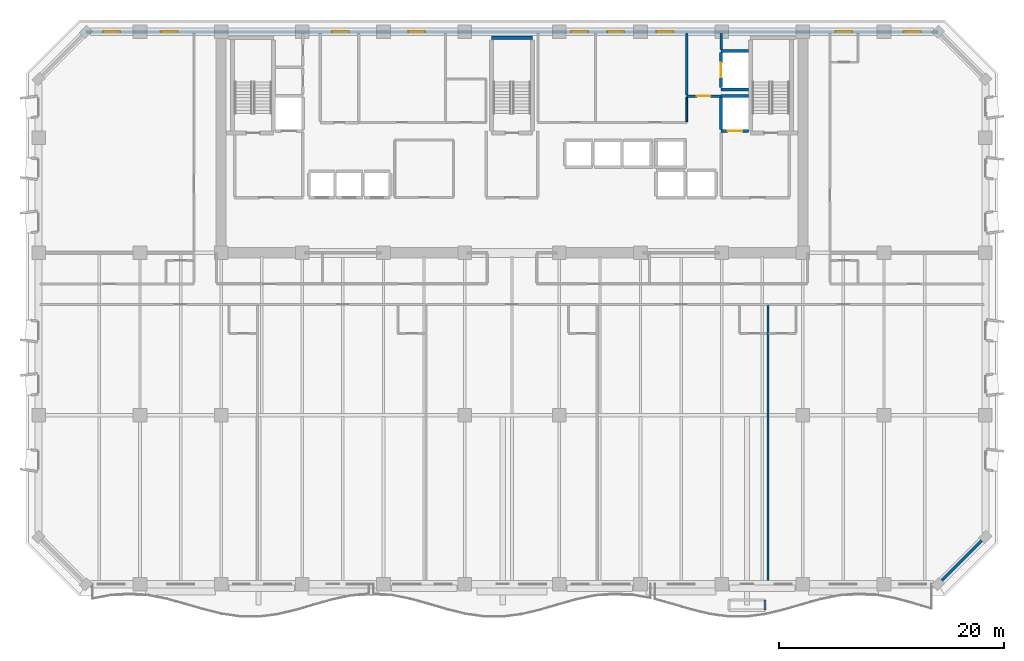
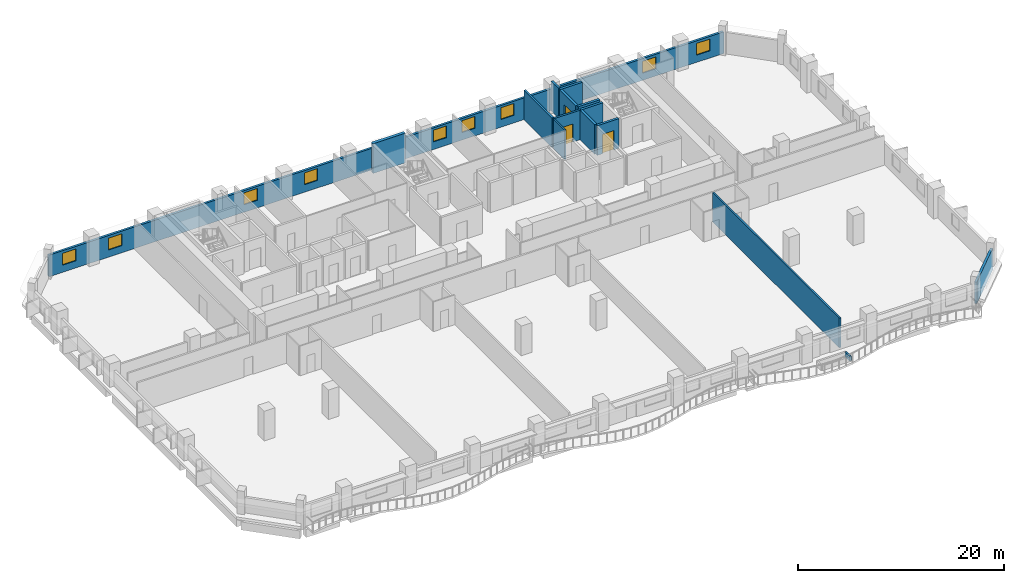
# One storey, part 8 of 14: 15 walls, 9 windows, 3 doors, 12 openings.
"""IFC4 building model written with IfcOpenShell, lengths in metres."""

from ifc_helpers import new_model, si_unit, direction, frame, frame_2d, origin, place, context, subcontext, project, spatial, rectangle, extrude, material, layer, layer_set, type_object, element, fill, save


model = new_model("IFC4")

# Units and contexts
model_context = context("Model", 3, precision=1e-05, world=origin(), true_north=direction((0.0, 1.0)))
body_context = subcontext(model_context, "Body", "Model", "MODEL_VIEW")
ifc_project = project(units=[si_unit("LENGTHUNIT", "METRE"), si_unit("AREAUNIT", "SQUARE_METRE"), si_unit("VOLUMEUNIT", "CUBIC_METRE"), si_unit("PLANEANGLEUNIT", "RADIAN"), si_unit("MASSUNIT", "GRAM", prefix="KILO")], contexts=[model_context])

# Site, building, storey
site_placement = place(None, origin())
site = spatial("IfcSite", under=ifc_project, at=site_placement, CompositionType="ELEMENT")
building_placement = place(site_placement, origin())
building = spatial("IfcBuilding", under=site, at=building_placement, Name="Kaelvorn Grand Hotel", CompositionType="ELEMENT")
storey_placement = place(building_placement, frame((0.0, 0.0, 126.800048828125)))
storey = spatial("IfcBuildingStorey", under=building, at=storey_placement, Name="L30", CompositionType="ELEMENT", Elevation=126.800048828125)

# Wall
ifc_material_1 = material(Name="Concrete C40/50", Category="concrete")
ifc_layer_1 = layer(ifc_material_1, 0.260009765625)
ifc_layer_set_1 = layer_set([ifc_layer_1], Name="Concrete C40/50")
wall_type_1 = type_object("IfcWallType", Name="WL-EXT-260-C40", PredefinedType="SOLIDWALL", material=ifc_layer_set_1)
wall_1_placement = place(storey_placement, frame((79.800048828125, 0.0, 0.0), z_axis=(0.0, 0.0, 1.0), x_axis=(0.707106781187, 0.707106781187, 0.0)))
element("IfcWall", 1, at=wall_1_placement, inside=storey, type_object=wall_type_1, Name="L30 Exterior Architectural Concrete Wall 02", PredefinedType="SOLIDWALL", context=body_context, shape_type="SweptSolid", body=[
    extrude(rectangle(XDim=5.939697265625, YDim=0.260009765625, at=frame_2d((2.9697265625, 0.0))), origin(), (0.0, 0.0, 1.0), 2.56005859375),
])

# Wall, openings, windows
wall_2_placement = place(storey_placement, frame((79.800048828125, 49.0, 0.0), z_axis=(0.0, 0.0, 1.0), x_axis=(-1.0, 0.0, 0.0)))
wall_2 = element("IfcWall", 2, at=wall_2_placement, inside=storey, type_object=wall_type_1, Name="L30 Exterior Architectural Concrete Wall 05", PredefinedType="SOLIDWALL", context=body_context, shape_type="SweptSolid", body=[
    extrude(rectangle(XDim=75.60009765625, YDim=0.260009765625, at=frame_2d((37.800048828125, 0.0))), origin(), (0.0, 0.0, 1.0), 2.56005859375),
])
opening_1_placement = place(wall_2_placement, frame((72.56494140625, 0.0, 0.85009765625)))
opening_1 = element("IfcOpeningElement", 3, at=opening_1_placement, cuts=wall_2, Name="Opening W10", PredefinedType="OPENING", context=body_context, shape_type="SweptSolid", body=[
    extrude(rectangle(XDim=1.5, YDim=1.39990234375, at=frame_2d((0.75, 0.699951171875))), frame((0.0, 0.14013671875, 0.0), z_axis=(0.0, -1.0, 0.0), x_axis=(1.0, 0.0, 0.0)), (0.0, 0.0, 1.0), 0.280029296875),
])
opening_2_placement = place(wall_2_placement, frame((67.449951171875, 0.0, 0.85009765625)))
opening_2 = element("IfcOpeningElement", 4, at=opening_2_placement, cuts=wall_2, Name="Opening W10", PredefinedType="OPENING", context=body_context, shape_type="SweptSolid", body=[
    extrude(rectangle(XDim=1.5, YDim=1.39990234375, at=frame_2d((0.75, 0.699951171875))), frame((0.0, 0.14013671875, 0.0), z_axis=(0.0, -1.0, 0.0), x_axis=(1.0, 0.0, 0.0)), (0.0, 0.0, 1.0), 0.280029296875),
])
opening_3_placement = place(wall_2_placement, frame((7.60009765625, 0.0, 0.85009765625)))
opening_3 = element("IfcOpeningElement", 5, at=opening_3_placement, cuts=wall_2, Name="Opening W10", PredefinedType="OPENING", context=body_context, shape_type="SweptSolid", body=[
    extrude(rectangle(XDim=1.5, YDim=1.39990234375, at=frame_2d((0.75, 0.699951171875))), frame((0.0, 0.14013671875, 0.0), z_axis=(0.0, -1.0, 0.0), x_axis=(1.0, 0.0, 0.0)), (0.0, 0.0, 1.0), 0.280029296875),
])
opening_4_placement = place(wall_2_placement, frame((1.534912109375, 0.0, 0.85009765625)))
opening_4 = element("IfcOpeningElement", 6, at=opening_4_placement, cuts=wall_2, Name="Opening W10", PredefinedType="OPENING", context=body_context, shape_type="SweptSolid", body=[
    extrude(rectangle(XDim=1.5, YDim=1.39990234375, at=frame_2d((0.75, 0.699951171875))), frame((0.0, 0.14013671875, 0.0), z_axis=(0.0, -1.0, 0.0), x_axis=(1.0, 0.0, 0.0)), (0.0, 0.0, 1.0), 0.280029296875),
])
opening_5_placement = place(wall_2_placement, frame((52.264892578125, 0.0, 0.89990234375)))
opening_5 = element("IfcOpeningElement", 7, at=opening_5_placement, cuts=wall_2, Name="Opening W10", PredefinedType="OPENING", context=body_context, shape_type="SweptSolid", body=[
    extrude(rectangle(XDim=1.5, YDim=1.39990234375, at=frame_2d((0.75, 0.699951171875))), frame((0.0, 0.14013671875, 0.0), z_axis=(0.0, -1.0, 0.0), x_axis=(1.0, 0.0, 0.0)), (0.0, 0.0, 1.0), 0.280029296875),
])
opening_6_placement = place(wall_2_placement, frame((45.5, 0.0, 0.89990234375)))
opening_6 = element("IfcOpeningElement", 8, at=opening_6_placement, cuts=wall_2, Name="Opening W10", PredefinedType="OPENING", context=body_context, shape_type="SweptSolid", body=[
    extrude(rectangle(XDim=1.5, YDim=1.39990234375, at=frame_2d((0.75, 0.699951171875))), frame((0.0, 0.14013671875, 0.0), z_axis=(0.0, -1.0, 0.0), x_axis=(1.0, 0.0, 0.0)), (0.0, 0.0, 1.0), 0.280029296875),
])
opening_7_placement = place(wall_2_placement, frame((31.050048828125, 0.0, 0.89990234375)))
opening_7 = element("IfcOpeningElement", 9, at=opening_7_placement, cuts=wall_2, Name="Opening W10", PredefinedType="OPENING", context=body_context, shape_type="SweptSolid", body=[
    extrude(rectangle(XDim=1.5, YDim=1.39990234375, at=frame_2d((0.75, 0.699951171875))), frame((0.0, 0.14013671875, 0.0), z_axis=(0.0, -1.0, 0.0), x_axis=(1.0, 0.0, 0.0)), (0.0, 0.0, 1.0), 0.280029296875),
])
opening_8_placement = place(wall_2_placement, frame((27.85009765625, 0.0, 0.89990234375)))
opening_8 = element("IfcOpeningElement", 10, at=opening_8_placement, cuts=wall_2, Name="Opening W10", PredefinedType="OPENING", context=body_context, shape_type="SweptSolid", body=[
    extrude(rectangle(XDim=1.5, YDim=1.39990234375, at=frame_2d((0.75, 0.699951171875))), frame((0.0, 0.14013671875, 0.0), z_axis=(0.0, -1.0, 0.0), x_axis=(1.0, 0.0, 0.0)), (0.0, 0.0, 1.0), 0.280029296875),
])
opening_9_placement = place(wall_2_placement, frame((23.485107421875, 0.0, 0.89990234375)))
opening_9 = element("IfcOpeningElement", 11, at=opening_9_placement, cuts=wall_2, Name="Opening W10", PredefinedType="OPENING", context=body_context, shape_type="SweptSolid", body=[
    extrude(rectangle(XDim=1.5, YDim=1.39990234375, at=frame_2d((0.75, 0.699951171875))), frame((0.0, 0.14013671875, 0.0), z_axis=(0.0, -1.0, 0.0), x_axis=(1.0, 0.0, 0.0)), (0.0, 0.0, 1.0), 0.280029296875),
])
ifc_material_2 = material(Name="Laminated Low-E Glass", Category="glass")
window_type = type_object("IfcWindowType", Name="WIN-COR-1500x1400", PartitioningType="SINGLE_PANEL", PredefinedType="WINDOW", material=ifc_material_2)
window_1_placement = place(opening_1_placement, origin())
window_1 = element("IfcWindow", 12, at=window_1_placement, inside=storey, type_object=window_type, Name="L30 North Wing Ribbon Window NW01", OverallHeight=1.39990234375, OverallWidth=1.5, PartitioningType="SINGLE_PANEL", PredefinedType="WINDOW", context=body_context, shape_type="SweptSolid", body=[
    extrude(rectangle(XDim=1.5, YDim=1.39990234375, at=frame_2d((0.75, 0.699951171875))), frame((0.0, 0.030029296875, 0.0), z_axis=(0.0, -1.0, 0.0), x_axis=(1.0, 0.0, 0.0)), (0.0, 0.0, 1.0), 0.06005859375),
])
fill(opening_1, window_1)
window_2_placement = place(opening_2_placement, origin())
window_2 = element("IfcWindow", 13, at=window_2_placement, inside=storey, type_object=window_type, Name="L30 North Wing Ribbon Window NW02", OverallHeight=1.39990234375, OverallWidth=1.5, PartitioningType="SINGLE_PANEL", PredefinedType="WINDOW", context=body_context, shape_type="SweptSolid", body=[
    extrude(rectangle(XDim=1.5, YDim=1.39990234375, at=frame_2d((0.75, 0.699951171875))), frame((0.0, 0.030029296875, 0.0), z_axis=(0.0, -1.0, 0.0), x_axis=(1.0, 0.0, 0.0)), (0.0, 0.0, 1.0), 0.06005859375),
])
fill(opening_2, window_2)
window_3_placement = place(opening_3_placement, origin())
window_3 = element("IfcWindow", 14, at=window_3_placement, inside=storey, type_object=window_type, Name="L30 North Wing Ribbon Window NW03", OverallHeight=1.39990234375, OverallWidth=1.5, PartitioningType="SINGLE_PANEL", PredefinedType="WINDOW", context=body_context, shape_type="SweptSolid", body=[
    extrude(rectangle(XDim=1.5, YDim=1.39990234375, at=frame_2d((0.75, 0.699951171875))), frame((0.0, 0.030029296875, 0.0), z_axis=(0.0, -1.0, 0.0), x_axis=(1.0, 0.0, 0.0)), (0.0, 0.0, 1.0), 0.06005859375),
])
fill(opening_3, window_3)
window_4_placement = place(opening_4_placement, origin())
window_4 = element("IfcWindow", 15, at=window_4_placement, inside=storey, type_object=window_type, Name="L30 North Wing Ribbon Window NW04", OverallHeight=1.39990234375, OverallWidth=1.5, PartitioningType="SINGLE_PANEL", PredefinedType="WINDOW", context=body_context, shape_type="SweptSolid", body=[
    extrude(rectangle(XDim=1.5, YDim=1.39990234375, at=frame_2d((0.75, 0.699951171875))), frame((0.0, 0.030029296875, 0.0), z_axis=(0.0, -1.0, 0.0), x_axis=(1.0, 0.0, 0.0)), (0.0, 0.0, 1.0), 0.06005859375),
])
fill(opening_4, window_4)
window_5_placement = place(opening_5_placement, origin())
window_5 = element("IfcWindow", 16, at=window_5_placement, inside=storey, type_object=window_type, Name="L30 North Core Clerestory Ribbon Window NC05", OverallHeight=1.39990234375, OverallWidth=1.5, PartitioningType="SINGLE_PANEL", PredefinedType="WINDOW", context=body_context, shape_type="SweptSolid", body=[
    extrude(rectangle(XDim=1.5, YDim=1.39990234375, at=frame_2d((0.75, 0.699951171875))), frame((0.0, 0.030029296875, 0.0), z_axis=(0.0, -1.0, 0.0), x_axis=(1.0, 0.0, 0.0)), (0.0, 0.0, 1.0), 0.06005859375),
])
fill(opening_5, window_5)
window_6_placement = place(opening_6_placement, origin())
window_6 = element("IfcWindow", 17, at=window_6_placement, inside=storey, type_object=window_type, Name="L30 North Core Clerestory Ribbon Window NC06", OverallHeight=1.39990234375, OverallWidth=1.5, PartitioningType="SINGLE_PANEL", PredefinedType="WINDOW", context=body_context, shape_type="SweptSolid", body=[
    extrude(rectangle(XDim=1.5, YDim=1.39990234375, at=frame_2d((0.75, 0.699951171875))), frame((0.0, 0.030029296875, 0.0), z_axis=(0.0, -1.0, 0.0), x_axis=(1.0, 0.0, 0.0)), (0.0, 0.0, 1.0), 0.06005859375),
])
fill(opening_6, window_6)
window_7_placement = place(opening_7_placement, origin())
window_7 = element("IfcWindow", 18, at=window_7_placement, inside=storey, type_object=window_type, Name="L30 North Core Clerestory Ribbon Window NC07", OverallHeight=1.39990234375, OverallWidth=1.5, PartitioningType="SINGLE_PANEL", PredefinedType="WINDOW", context=body_context, shape_type="SweptSolid", body=[
    extrude(rectangle(XDim=1.5, YDim=1.39990234375, at=frame_2d((0.75, 0.699951171875))), frame((0.0, 0.030029296875, 0.0), z_axis=(0.0, -1.0, 0.0), x_axis=(1.0, 0.0, 0.0)), (0.0, 0.0, 1.0), 0.06005859375),
])
fill(opening_7, window_7)
window_8_placement = place(opening_8_placement, origin())
window_8 = element("IfcWindow", 19, at=window_8_placement, inside=storey, type_object=window_type, Name="L30 North Core Clerestory Ribbon Window NC08", OverallHeight=1.39990234375, OverallWidth=1.5, PartitioningType="SINGLE_PANEL", PredefinedType="WINDOW", context=body_context, shape_type="SweptSolid", body=[
    extrude(rectangle(XDim=1.5, YDim=1.39990234375, at=frame_2d((0.75, 0.699951171875))), frame((0.0, 0.030029296875, 0.0), z_axis=(0.0, -1.0, 0.0), x_axis=(1.0, 0.0, 0.0)), (0.0, 0.0, 1.0), 0.06005859375),
])
fill(opening_8, window_8)
window_9_placement = place(opening_9_placement, origin())
window_9 = element("IfcWindow", 20, at=window_9_placement, inside=storey, type_object=window_type, Name="L30 North Core Clerestory Ribbon Window NC09", OverallHeight=1.39990234375, OverallWidth=1.5, PartitioningType="SINGLE_PANEL", PredefinedType="WINDOW", context=body_context, shape_type="SweptSolid", body=[
    extrude(rectangle(XDim=1.5, YDim=1.39990234375, at=frame_2d((0.75, 0.699951171875))), frame((0.0, 0.030029296875, 0.0), z_axis=(0.0, -1.0, 0.0), x_axis=(1.0, 0.0, 0.0)), (0.0, 0.0, 1.0), 0.06005859375),
])
fill(opening_9, window_9)

# Walls
ifc_material_3 = material(Name="Acoustic Gypsum & Stud Partition")
ifc_layer_2 = layer(ifc_material_3, 0.14990234375)
ifc_layer_set_2 = layer_set([ifc_layer_2], Name="Acoustic Gypsum & Stud Partition")
wall_type_2 = type_object("IfcWallType", Name="WL-PART-150-EI60", PredefinedType="PARTITIONING", material=ifc_layer_set_2)
wall_3_placement = place(storey_placement, frame((57.5, 41.030029296875, 0.0), z_axis=(0.0, 0.0, 1.0), x_axis=(0.0, 1.0, 0.0)))
element("IfcWall", 21, at=wall_3_placement, inside=storey, type_object=wall_type_2, Name="L30 Butler Servery Pantry E Partition", PredefinedType="PARTITIONING", context=body_context, shape_type="SweptSolid", body=[
    extrude(rectangle(XDim=2.155029296875, YDim=0.14990234375, at=frame_2d((1.07763671875, 0.0))), origin(), (0.0, 0.0, 1.0), 3.510009765625),
])
ifc_layer_3 = layer(ifc_material_3, 0.179931640625)
ifc_layer_set_3 = layer_set([ifc_layer_3], Name="Acoustic Gypsum & Stud Partition")
wall_type_3 = type_object("IfcWallType", Name="WL-PART-180-EI60", PredefinedType="PARTITIONING", material=ifc_layer_set_3)
wall_4_placement = place(storey_placement, frame((64.690673828125, 0.14990234375, 0.0), z_axis=(0.0, 0.0, 1.0), x_axis=(0.0, 1.0, 0.0)))
element("IfcWall", 22, at=wall_4_placement, inside=storey, type_object=wall_type_3, Name="L30 Presidential Sky Suite L30-04 E Partition", PredefinedType="PARTITIONING", context=body_context, shape_type="SweptSolid", body=[
    extrude(rectangle(XDim=24.55517578125, YDim=0.179931640625, at=frame_2d((12.277587890625, 0.0))), origin(), (0.0, 0.0, 1.0), 3.510009765625),
])

# Wall, opening, door
ifc_layer_4 = layer(ifc_material_1, 0.219970703125)
ifc_layer_set_4 = layer_set([ifc_layer_4], Name="Concrete C40/50")
wall_type_4 = type_object("IfcWallType", Name="WL-PART-220-EI120", PredefinedType="PARTITIONING", material=ifc_layer_set_4)
wall_5_placement = place(storey_placement, frame((57.5, 43.300048828125, 0.0), z_axis=(0.0, 0.0, 1.0), x_axis=(1.0, 0.0, 0.0)))
wall_5 = element("IfcWall", 23, at=wall_5_placement, inside=storey, type_object=wall_type_4, Name="L30 Service Lift Lobby S Partition", PredefinedType="PARTITIONING", context=body_context, shape_type="SweptSolid", body=[
    extrude(rectangle(XDim=3.0400390625, YDim=0.219970703125, at=frame_2d((1.52001953125, 0.0))), origin(), (0.0, 0.0, 1.0), 3.510009765625),
])
opening_10_placement = place(wall_5_placement, frame((0.89990234375, 0.0, 0.0)))
opening_10 = element("IfcOpeningElement", 24, at=opening_10_placement, cuts=wall_5, Name="Opening DI2", PredefinedType="OPENING", context=body_context, shape_type="SweptSolid", body=[
    extrude(rectangle(XDim=1.199951171875, YDim=2.14990234375, at=frame_2d((0.60009765625, 1.074951171875))), frame((0.0, 0.1201171875, 0.0), z_axis=(0.0, -1.0, 0.0), x_axis=(1.0, 0.0, 0.0)), (0.0, 0.0, 1.0), 0.239990234375),
])
ifc_material_4 = material(Name="Timber Veneer Fire Leaf", Category="wood")
door_type_1 = type_object("IfcDoorType", Name="DR-INT-FFLOB-1200x2150", OperationType="NOTDEFINED", PredefinedType="DOOR", material=ifc_material_4)
door_1_placement = place(opening_10_placement, origin())
door_1 = element("IfcDoor", 25, at=door_1_placement, inside=storey, type_object=door_type_1, Name="L30 Service Lift Lobby Door", OperationType="SINGLE_SWING_RIGHT", OverallHeight=2.14990234375, OverallWidth=1.199951171875, PredefinedType="DOOR", context=body_context, shape_type="SweptSolid", body=[
    extrude(rectangle(XDim=1.199951171875, YDim=2.14990234375, at=frame_2d((0.60009765625, 1.074951171875))), frame((0.0, 0.02490234375, 0.0), z_axis=(0.0, -1.0, 0.0), x_axis=(1.0, 0.0, 0.0)), (0.0, 0.0, 1.0), 0.050048828125),
])
fill(opening_10, door_1)

# Walls
wall_6_placement = place(storey_placement, frame((57.5, 43.4150390625, 0.0), z_axis=(0.0, 0.0, 1.0), x_axis=(0.0, 1.0, 0.0)))
element("IfcWall", 26, at=wall_6_placement, inside=storey, type_object=wall_type_4, Name="L30 Service Lift Lobby W Partition", PredefinedType="PARTITIONING", context=body_context, shape_type="SweptSolid", body=[
    extrude(rectangle(XDim=5.43505859375, YDim=0.219970703125, at=frame_2d((2.717529296875, 0.0))), origin(), (0.0, 0.0, 1.0), 3.510009765625),
])
wall_7_placement = place(storey_placement, frame((60.550048828125, 47.445068359375, 0.0), z_axis=(0.0, 0.0, 1.0), x_axis=(0.0, 1.0, 0.0)))
element("IfcWall", 27, at=wall_7_placement, inside=storey, type_object=wall_type_4, Name="L30 Service Lift Lobby E Partition", PredefinedType="PARTITIONING", context=body_context, shape_type="SweptSolid", body=[
    extrude(rectangle(XDim=1.405029296875, YDim=0.219970703125, at=frame_2d((0.70263671875, 0.0))), origin(), (0.0, 0.0, 1.0), 3.510009765625),
])

# Wall, opening, door
ifc_material_5 = material(Name="Concrete C50/60", Category="concrete")
ifc_layer_5 = layer(ifc_material_5, 0.280029296875)
ifc_layer_set_5 = layer_set([ifc_layer_5], Name="Concrete C50/60")
wall_type_5 = type_object("IfcWallType", Name="WL-SHAFT-280-C50", PredefinedType="SHEAR", material=ifc_layer_set_5)
wall_8_placement = place(storey_placement, frame((60.550048828125, 40.199951171875, 0.0), z_axis=(0.0, 0.0, 1.0), x_axis=(1.0, 0.0, 0.0)))
wall_8 = element("IfcWall", 28, at=wall_8_placement, inside=storey, type_object=wall_type_5, Name="L30 Lift FFL2 Shaft South Wall", PredefinedType="SHEAR", context=body_context, shape_type="SweptSolid", body=[
    extrude(rectangle(XDim=2.4150390625, YDim=0.280029296875, at=frame_2d((1.20751953125, 0.0))), origin(), (0.0, 0.0, 1.0), 3.510009765625),
])
opening_11_placement = place(wall_8_placement, frame((0.574951171875, 0.0, 0.0)))
opening_11 = element("IfcOpeningElement", 29, at=opening_11_placement, cuts=wall_8, Name="Opening LD-FFL2", PredefinedType="OPENING", context=body_context, shape_type="SweptSolid", body=[
    extrude(rectangle(XDim=1.300048828125, YDim=2.300048828125, at=frame_2d((0.64990234375, 1.14990234375))), frame((0.0, 0.14990234375, 0.0), z_axis=(0.0, -1.0, 0.0), x_axis=(1.0, 0.0, 0.0)), (0.0, 0.0, 1.0), 0.300048828125),
])
ifc_material_6 = material(Name="Stainless Steel", Category="steel")
door_type_2 = type_object("IfcDoorType", Name="DR-LIFT-SERV-1300x2300", OperationType="DOUBLE_DOOR_SLIDING", PredefinedType="DOOR", material=ifc_material_6)
door_2_placement = place(opening_11_placement, origin())
door_2 = element("IfcDoor", 30, at=door_2_placement, inside=storey, type_object=door_type_2, Name="L30 Lift FFL2 Sliding Landing Door LD-FFL2", OperationType="DOUBLE_DOOR_SLIDING", OverallHeight=2.300048828125, OverallWidth=1.300048828125, PredefinedType="DOOR", context=body_context, shape_type="SweptSolid", body=[
    extrude(rectangle(XDim=1.300048828125, YDim=2.300048828125, at=frame_2d((0.64990234375, 1.14990234375))), frame((0.0, 0.02490234375, 0.0), z_axis=(0.0, -1.0, 0.0), x_axis=(1.0, 0.0, 0.0)), (0.0, 0.0, 1.0), 0.050048828125),
])
fill(opening_11, door_2)

# Walls
wall_9_placement = place(storey_placement, frame((60.550048828125, 43.300048828125, 0.0), z_axis=(0.0, 0.0, 1.0), x_axis=(1.0, 0.0, 0.0)))
element("IfcWall", 31, at=wall_9_placement, inside=storey, type_object=wall_type_5, Name="L30 Lift FFL2 Shaft North Wall", PredefinedType="SHEAR", context=body_context, shape_type="SweptSolid", body=[
    extrude(rectangle(XDim=2.4150390625, YDim=0.280029296875, at=frame_2d((1.20751953125, 0.0))), origin(), (0.0, 0.0, 1.0), 3.510009765625),
])
wall_10_placement = place(storey_placement, frame((60.550048828125, 40.344970703125, 0.0), z_axis=(0.0, 0.0, 1.0), x_axis=(0.0, 1.0, 0.0)))
element("IfcWall", 32, at=wall_10_placement, inside=storey, type_object=wall_type_5, Name="L30 Lift FFL2 Shaft West Wall", PredefinedType="SHEAR", context=body_context, shape_type="SweptSolid", body=[
    extrude(rectangle(XDim=2.81005859375, YDim=0.280029296875, at=frame_2d((1.405029296875, 0.0))), origin(), (0.0, 0.0, 1.0), 3.510009765625),
])
for number, where, z_axis, x_axis, name in (
    (33, (60.550048828125, 43.89990234375, 0.0), (0.0, 0.0, 1.0), (1.0, 0.0, 0.0), "L30 Lift SV1 Shaft South Wall"),
    (34, (60.550048828125, 47.300048828125, 0.0), (0.0, 0.0, 1.0), (1.0, 0.0, 0.0), "L30 Lift SV1 Shaft North Wall"),
):
    element("IfcWall", number, at=place(storey_placement, frame(where, z_axis=z_axis, x_axis=x_axis)), inside=storey, type_object=wall_type_5, Name=name, PredefinedType="SHEAR", context=body_context, shape_type="SweptSolid", body=[
        extrude(rectangle(XDim=2.4150390625, YDim=0.280029296875, at=frame_2d((1.20751953125, 0.0))), origin(), (0.0, 0.0, 1.0), 3.510009765625),
    ])

# Wall, opening, door
wall_11_placement = place(storey_placement, frame((60.550048828125, 44.044921875, 0.0), z_axis=(0.0, 0.0, 1.0), x_axis=(0.0, 1.0, 0.0)))
wall_11 = element("IfcWall", 35, at=wall_11_placement, inside=storey, type_object=wall_type_5, Name="L30 Lift SV1 Shaft West Wall", PredefinedType="SHEAR", context=body_context, shape_type="SweptSolid", body=[
    extrude(rectangle(XDim=3.110107421875, YDim=0.280029296875, at=frame_2d((1.55517578125, 0.0))), origin(), (0.0, 0.0, 1.0), 3.510009765625),
])
opening_12_placement = place(wall_11_placement, frame((0.905029296875, 0.0, 0.0)))
opening_12 = element("IfcOpeningElement", 36, at=opening_12_placement, cuts=wall_11, Name="Opening LD-SV1", PredefinedType="OPENING", context=body_context, shape_type="SweptSolid", body=[
    extrude(rectangle(XDim=1.300048828125, YDim=2.300048828125, at=frame_2d((0.64990234375, 1.14990234375))), frame((0.0, 0.14990234375, 0.0), z_axis=(0.0, -1.0, 0.0), x_axis=(1.0, 0.0, 0.0)), (0.0, 0.0, 1.0), 0.300048828125),
])
door_3_placement = place(opening_12_placement, origin())
door_3 = element("IfcDoor", 37, at=door_3_placement, inside=storey, type_object=door_type_2, Name="L30 Lift SV1 Sliding Landing Door LD-SV1", OperationType="DOUBLE_DOOR_SLIDING", OverallHeight=2.300048828125, OverallWidth=1.300048828125, PredefinedType="DOOR", context=body_context, shape_type="SweptSolid", body=[
    extrude(rectangle(XDim=1.300048828125, YDim=2.300048828125, at=frame_2d((0.64990234375, 1.14990234375))), frame((0.0, 0.02490234375, 0.0), z_axis=(0.0, -1.0, 0.0), x_axis=(1.0, 0.0, 0.0)), (0.0, 0.0, 1.0), 0.050048828125),
])
fill(opening_12, door_3)

# Walls
ifc_material_7 = material(Name="Concrete C60/75", Category="concrete")
ifc_layer_6 = layer(ifc_material_7, 0.35009765625)
ifc_layer_set_6 = layer_set([ifc_layer_6], Name="Concrete C60/75")
wall_type_6 = type_object("IfcWallType", Name="WL-SHAFT-350-C60", PredefinedType="SHEAR", material=ifc_layer_set_6)
wall_12_placement = place(storey_placement, frame((40.18505859375, 48.47509765625, 0.0), z_axis=(0.0, 0.0, 1.0), x_axis=(1.0, 0.0, 0.0)))
element("IfcWall", 38, at=wall_12_placement, inside=storey, type_object=wall_type_6, Name="L30 ST2 Stair Shaft North Wall", PredefinedType="SHEAR", context=body_context, shape_type="SweptSolid", body=[
    extrude(rectangle(XDim=3.6298828125, YDim=0.35009765625, at=frame_2d((1.81494140625, 0.0))), origin(), (0.0, 0.0, 1.0), 3.510009765625),
])
ifc_layer_7 = layer(ifc_material_1, 0.199951171875)
ifc_layer_set_7 = layer_set([ifc_layer_7], Name="Concrete C40/50")
wall_type_7 = type_object("IfcWallType", Name="WL-TREE-PLANTER-200", PredefinedType="PARAPET", material=ifc_layer_set_7)
wall_13_placement = place(storey_placement, frame((64.4443359375, -2.300048828125, 0.0), z_axis=(0.0, 0.0, 1.0), x_axis=(0.0, 1.0, 0.0)))
element("IfcWall", 39, at=wall_13_placement, inside=storey, type_object=wall_type_7, Name="L30 Planted Balcony Structural TREE PLANTER Kerb 1-E", PredefinedType="PARAPET", context=body_context, shape_type="SweptSolid", body=[
    extrude(rectangle(XDim=0.900146484375, YDim=0.199951171875, at=frame_2d((0.4501953125, 0.0))), origin(), (0.0, 0.0, 1.0), 0.550048828125),
])

save(model, "model.ifc")
